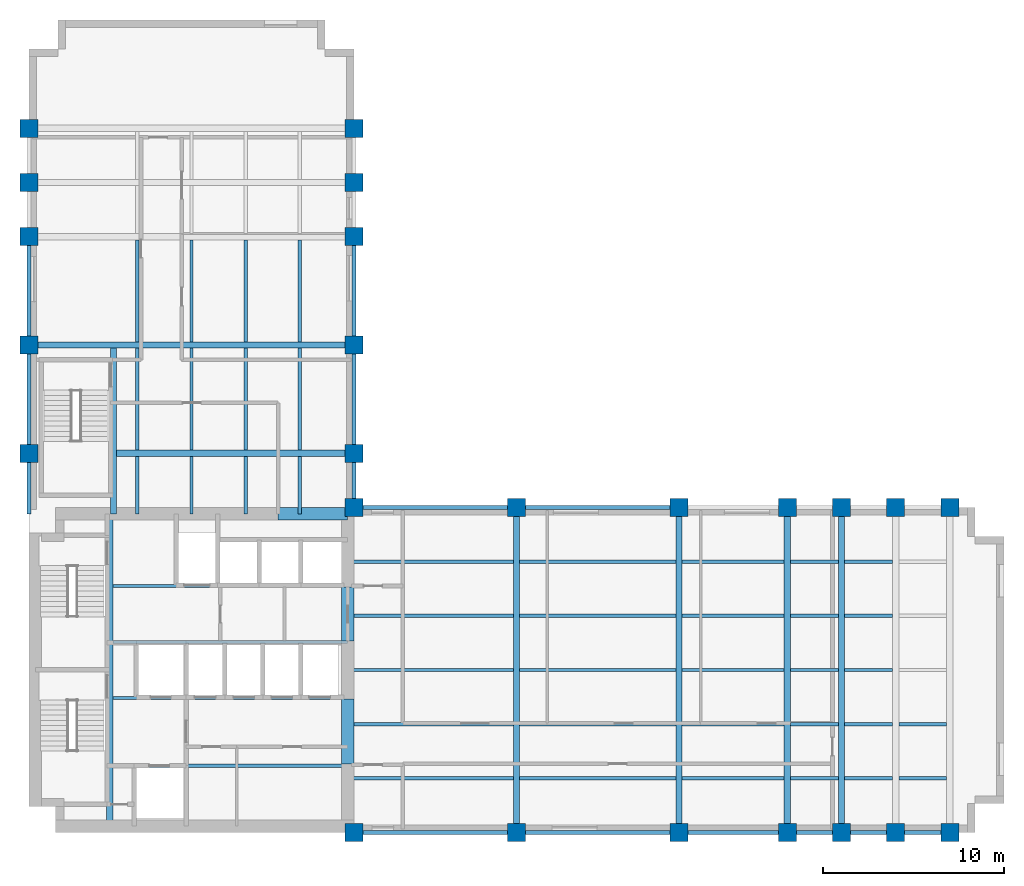
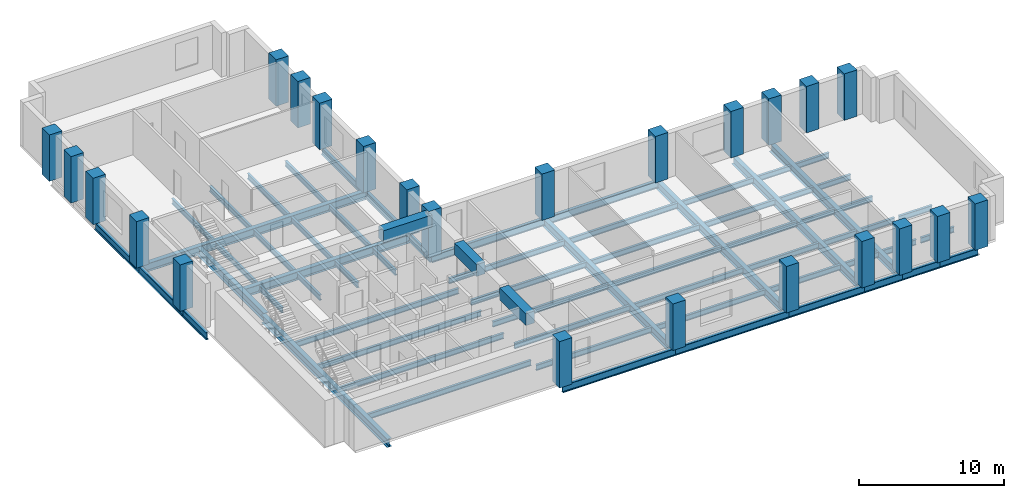
# One storey, part 1 of 7: 68 beams, 24 columns.
"""IFC4 building model written with IfcOpenShell, lengths in metres."""

from ifc_helpers import new_model, si_unit, direction, frame, origin, origin_2d, place, context, subcontext, project, spatial, rectangle, i_section, extrude, material, material_profile, profile_set, type_object, element, save


model = new_model("IFC4")

# Units and contexts
model_context = context("Model", 3, precision=1e-05, world=origin(), true_north=direction((0.0, 1.0)))
body_context = subcontext(model_context, "Body", "Model", "MODEL_VIEW")
ifc_project = project(units=[si_unit("LENGTHUNIT", "METRE"), si_unit("AREAUNIT", "SQUARE_METRE"), si_unit("VOLUMEUNIT", "CUBIC_METRE"), si_unit("PLANEANGLEUNIT", "RADIAN"), si_unit("MASSUNIT", "GRAM", prefix="KILO")], contexts=[model_context])

# Site, building, storey
site_placement = place(None, origin())
site = spatial("IfcSite", under=ifc_project, at=site_placement, CompositionType="ELEMENT")
building_placement = place(site_placement, origin())
building = spatial("IfcBuilding", under=site, at=building_placement, Name="Mawjdan Bourse Tower", CompositionType="ELEMENT")
storey_placement = place(building_placement, frame((0.0, 0.0, 147.89990234375)))
storey = spatial("IfcBuildingStorey", under=building, at=storey_placement, Name="L35", CompositionType="ELEMENT", Elevation=147.89990234375)

# Columns
ifc_material_1 = material(Name="Concrete C70/85", Category="concrete")
ifc_material_profile_1 = material_profile(ifc_material_1, rectangle(XDim=1.0, YDim=1.0, at=origin_2d()), Name="RC1000X1000")
ifc_profile_set_1 = profile_set([ifc_material_profile_1], Name="Concrete C70/85")
column_type = type_object("IfcColumnType", Name="COL-RC1000X1000", PredefinedType="COLUMN", material=ifc_profile_set_1)
for number, where, z_axis, x_axis, name in (
    (1, (24.0, 3.0, 0.0), (0.0, 0.0, 1.0), (1.0, 0.0, 0.0), "L35 Structural Column C-X240-Y30"),
    (2, (24.0, 21.0, 0.0), (0.0, 0.0, 1.0), (1.0, 0.0, 0.0), "L35 Structural Column C-X240-Y210"),
    (3, (33.0, 3.0, 0.0), (0.0, 0.0, 1.0), (1.0, 0.0, 0.0), "L35 Structural Column C-X330-Y30"),
    (4, (33.0, 21.0, 0.0), (0.0, 0.0, 1.0), (1.0, 0.0, 0.0), "L35 Structural Column C-X330-Y210"),
    (5, (42.0, 3.0, 0.0), (0.0, 0.0, 1.0), (1.0, 0.0, 0.0), "L35 Structural Column C-X420-Y30"),
    (6, (42.0, 21.0, 0.0), (0.0, 0.0, 1.0), (1.0, 0.0, 0.0), "L35 Structural Column C-X420-Y210"),
    (7, (48.0, 3.0, 0.0), (0.0, 0.0, 1.0), (1.0, 0.0, 0.0), "L35 Structural Column C-X480-Y30"),
    (8, (48.0, 21.0, 0.0), (0.0, 0.0, 1.0), (1.0, 0.0, 0.0), "L35 Structural Column C-X480-Y210"),
    (9, (51.0, 3.0, 0.0), (0.0, 0.0, 1.0), (1.0, 0.0, 0.0), "L35 Structural Column C-X510-Y30"),
    (10, (51.0, 21.0, 0.0), (0.0, 0.0, 1.0), (1.0, 0.0, 0.0), "L35 Structural Column C-X510-Y210"),
    (11, (54.0, 3.0, 0.0), (0.0, 0.0, 1.0), (1.0, 0.0, 0.0), "L35 Structural Column C-X540-Y30"),
    (12, (54.0, 21.0, 0.0), (0.0, 0.0, 1.0), (1.0, 0.0, 0.0), "L35 Structural Column C-X540-Y210"),
    (13, (57.0, 3.0, 0.0), (0.0, 0.0, 1.0), (1.0, 0.0, 0.0), "L35 Structural Column C-X570-Y30"),
    (14, (57.0, 21.0, 0.0), (0.0, 0.0, 1.0), (1.0, 0.0, 0.0), "L35 Structural Column C-X570-Y210"),
    (15, (6.0, 24.0, 0.0), (0.0, 0.0, 1.0), (1.0, 0.0, 0.0), "L35 Structural Column C-X60-Y240"),
    (16, (24.0, 24.0, 0.0), (0.0, 0.0, 1.0), (1.0, 0.0, 0.0), "L35 Structural Column C-X240-Y240"),
    (17, (6.0, 30.0, 0.0), (0.0, 0.0, 1.0), (1.0, 0.0, 0.0), "L35 Structural Column C-X60-Y300"),
    (18, (24.0, 30.0, 0.0), (0.0, 0.0, 1.0), (1.0, 0.0, 0.0), "L35 Structural Column C-X240-Y300"),
    (19, (6.0, 36.0, 0.0), (0.0, 0.0, 1.0), (1.0, 0.0, 0.0), "L35 Structural Column C-X60-Y360"),
    (20, (24.0, 36.0, 0.0), (0.0, 0.0, 1.0), (1.0, 0.0, 0.0), "L35 Structural Column C-X240-Y360"),
    (21, (6.0, 39.0, 0.0), (0.0, 0.0, 1.0), (1.0, 0.0, 0.0), "L35 Structural Column C-X60-Y390"),
    (22, (24.0, 39.0, 0.0), (0.0, 0.0, 1.0), (1.0, 0.0, 0.0), "L35 Structural Column C-X240-Y390"),
    (23, (6.0, 42.0, 0.0), (0.0, 0.0, 1.0), (1.0, 0.0, 0.0), "L35 Structural Column C-X60-Y420"),
    (24, (24.0, 42.0, 0.0), (0.0, 0.0, 1.0), (1.0, 0.0, 0.0), "L35 Structural Column C-X240-Y420"),
):
    element("IfcColumn", number, at=place(storey_placement, frame(where, z_axis=z_axis, x_axis=x_axis)), inside=storey, type_object=column_type, Name=name, PredefinedType="COLUMN", context=body_context, shape_type="SweptSolid", body=[
        extrude(rectangle(XDim=1.0, YDim=1.0, at=origin_2d()), origin(), (0.0, 0.0, 1.0), 3.900146484375),
    ])

# Beams
ifc_material_2 = material(Name="Structural Steel S355", Category="steel")
ifc_material_profile_2 = material_profile(ifc_material_2, i_section(OverallWidth=0.35498046875, OverallDepth=0.696044921875, WebThickness=0.015380859375, FlangeThickness=0.02490234375, FilletRadius=0.019775390625, at=origin_2d()), Name="W27X146")
ifc_profile_set_2 = profile_set([ifc_material_profile_2], Name="Structural Steel S355")
beam_type_1 = type_object("IfcBeamType", Name="GRD-W27X146", PredefinedType="BEAM", material=ifc_profile_set_2)
beam_1_placement = place(storey_placement, frame((10.47998046875, 3.35009765625, -0.5478515625), z_axis=(0.0, 1.0, 0.0), x_axis=(-1.0, 0.0, 0.0)))
element("IfcBeam", 25, at=beam_1_placement, inside=storey, type_object=beam_type_1, Name="L35 Core Stair Trimmer Girder 001", PredefinedType="BEAM", context=body_context, shape_type="SweptSolid", body=[
    extrude(i_section(OverallWidth=0.35498046875, OverallDepth=0.696044921875, WebThickness=0.015380859375, FlangeThickness=0.02490234375, FilletRadius=0.019775390625, at=origin_2d()), origin(), (0.0, 0.0, 1.0), 17.2998046875),
])
for number, where, z_axis, x_axis, name in (
    (26, (33.0, 3.0, -0.5478515625), (0.0, 1.0, 0.0), (-1.0, 0.0, 0.0), "L35 East Wing Clear-Span Girder 002"),
    (27, (42.0, 3.0, -0.5478515625), (0.0, 1.0, 0.0), (-1.0, 0.0, 0.0), "L35 East Wing Clear-Span Girder 003"),
    (28, (48.0, 3.0, -0.5478515625), (0.0, 1.0, 0.0), (-1.0, 0.0, 0.0), "L35 East Wing Clear-Span Girder 004"),
    (29, (51.0, 3.0, -0.5478515625), (0.0, 1.0, 0.0), (-1.0, 0.0, 0.0), "L35 East Wing Clear-Span Girder 005"),
):
    element("IfcBeam", number, at=place(storey_placement, frame(where, z_axis=z_axis, x_axis=x_axis)), inside=storey, type_object=beam_type_1, Name=name, PredefinedType="BEAM", context=body_context, shape_type="SweptSolid", body=[
        extrude(i_section(OverallWidth=0.35498046875, OverallDepth=0.696044921875, WebThickness=0.015380859375, FlangeThickness=0.02490234375, FilletRadius=0.019775390625, at=origin_2d()), origin(), (0.0, 0.0, 1.0), 18.0),
    ])
beam_2_placement = place(storey_placement, frame((10.679931640625, 20.64990234375, -0.5478515625), z_axis=(0.0, 1.0, 0.0), x_axis=(-1.0, 0.0, 0.0)))
element("IfcBeam", 30, at=beam_2_placement, inside=storey, type_object=beam_type_1, Name="L35 North Wing Stair Trimmer Girder 054", PredefinedType="BEAM", context=body_context, shape_type="SweptSolid", body=[
    extrude(i_section(OverallWidth=0.35498046875, OverallDepth=0.696044921875, WebThickness=0.015380859375, FlangeThickness=0.02490234375, FilletRadius=0.019775390625, at=origin_2d()), origin(), (0.0, 0.0, 1.0), 9.174560546875),
])
beam_3_placement = place(storey_placement, frame((10.85546875, 24.0, -0.5478515625), z_axis=(1.0, 0.0, 0.0), x_axis=(0.0, 1.0, 0.0)))
element("IfcBeam", 31, at=beam_3_placement, inside=storey, type_object=beam_type_1, Name="L35 North Wing Clear-Span Girder 055", PredefinedType="BEAM", context=body_context, shape_type="SweptSolid", body=[
    extrude(i_section(OverallWidth=0.35498046875, OverallDepth=0.696044921875, WebThickness=0.015380859375, FlangeThickness=0.02490234375, FilletRadius=0.019775390625, at=origin_2d()), origin(), (0.0, 0.0, 1.0), 13.14453125),
])
beam_4_placement = place(storey_placement, frame((6.0, 30.0, -0.5478515625), z_axis=(1.0, 0.0, 0.0), x_axis=(0.0, 1.0, 0.0)))
element("IfcBeam", 32, at=beam_4_placement, inside=storey, type_object=beam_type_1, Name="L35 North Wing Clear-Span Girder 056", PredefinedType="BEAM", context=body_context, shape_type="SweptSolid", body=[
    extrude(i_section(OverallWidth=0.35498046875, OverallDepth=0.696044921875, WebThickness=0.015380859375, FlangeThickness=0.02490234375, FilletRadius=0.019775390625, at=origin_2d()), origin(), (0.0, 0.0, 1.0), 18.0),
])
ifc_material_profile_3 = material_profile(ifc_material_2, i_section(OverallWidth=0.18994140625, OverallDepth=0.45703125, WebThickness=0.009033203125, FlangeThickness=0.014404296875, FilletRadius=0.01171875, at=origin_2d()), Name="W18X50")
ifc_profile_set_3 = profile_set([ifc_material_profile_3], Name="Structural Steel S355")
beam_type_2 = type_object("IfcBeamType", Name="JST-W18X50", PredefinedType="JOIST", material=ifc_profile_set_3)
beam_5_placement = place(storey_placement, frame((23.64990234375, 6.0, -0.428466796875), z_axis=(1.0, 0.0, 0.0), x_axis=(0.0, 1.0, 0.0)))
element("IfcBeam", 33, at=beam_5_placement, inside=storey, type_object=beam_type_2, Name="L35 East Wing Composite Joist 020", PredefinedType="JOIST", context=body_context, shape_type="SweptSolid", body=[
    extrude(i_section(OverallWidth=0.18994140625, OverallDepth=0.45703125, WebThickness=0.009033203125, FlangeThickness=0.014404296875, FilletRadius=0.01171875, at=origin_2d()), origin(), (0.0, 0.0, 1.0), 9.174560546875),
])
beam_6_placement = place(storey_placement, frame((33.175537109375, 6.0, -0.428466796875), z_axis=(1.0, 0.0, 0.0), x_axis=(0.0, 1.0, 0.0)))
element("IfcBeam", 34, at=beam_6_placement, inside=storey, type_object=beam_type_2, Name="L35 East Wing Composite Joist 021", PredefinedType="JOIST", context=body_context, shape_type="SweptSolid", body=[
    extrude(i_section(OverallWidth=0.18994140625, OverallDepth=0.45703125, WebThickness=0.009033203125, FlangeThickness=0.014404296875, FilletRadius=0.01171875, at=origin_2d()), origin(), (0.0, 0.0, 1.0), 8.64892578125),
])
beam_7_placement = place(storey_placement, frame((42.175537109375, 6.0, -0.428466796875), z_axis=(1.0, 0.0, 0.0), x_axis=(0.0, 1.0, 0.0)))
element("IfcBeam", 35, at=beam_7_placement, inside=storey, type_object=beam_type_2, Name="L35 East Wing Composite Joist 022", PredefinedType="JOIST", context=body_context, shape_type="SweptSolid", body=[
    extrude(i_section(OverallWidth=0.18994140625, OverallDepth=0.45703125, WebThickness=0.009033203125, FlangeThickness=0.014404296875, FilletRadius=0.01171875, at=origin_2d()), origin(), (0.0, 0.0, 1.0), 5.64892578125),
])
for number, where, z_axis, x_axis, name in (
    (36, (48.175537109375, 6.0, -0.428466796875), (1.0, 0.0, 0.0), (0.0, 1.0, 0.0), "L35 East Wing Composite Joist 023"),
    (37, (51.175537109375, 6.0, -0.428466796875), (1.0, 0.0, 0.0), (0.0, 1.0, 0.0), "L35 East Wing Composite Joist 024"),
    (38, (54.175537109375, 6.0, -0.428466796875), (1.0, 0.0, 0.0), (0.0, 1.0, 0.0), "L35 East Wing Composite Joist 025"),
):
    element("IfcBeam", number, at=place(storey_placement, frame(where, z_axis=z_axis, x_axis=x_axis)), inside=storey, type_object=beam_type_2, Name=name, PredefinedType="JOIST", context=body_context, shape_type="SweptSolid", body=[
        extrude(i_section(OverallWidth=0.18994140625, OverallDepth=0.45703125, WebThickness=0.009033203125, FlangeThickness=0.014404296875, FilletRadius=0.01171875, at=origin_2d()), origin(), (0.0, 0.0, 1.0), 2.64892578125),
    ])
beam_8_placement = place(storey_placement, frame((23.64990234375, 9.0, -0.428466796875), z_axis=(1.0, 0.0, 0.0), x_axis=(0.0, 1.0, 0.0)))
element("IfcBeam", 39, at=beam_8_placement, inside=storey, type_object=beam_type_2, Name="L35 East Wing Composite Joist 026", PredefinedType="JOIST", context=body_context, shape_type="SweptSolid", body=[
    extrude(i_section(OverallWidth=0.18994140625, OverallDepth=0.45703125, WebThickness=0.009033203125, FlangeThickness=0.014404296875, FilletRadius=0.01171875, at=origin_2d()), origin(), (0.0, 0.0, 1.0), 9.174560546875),
])
beam_9_placement = place(storey_placement, frame((33.175537109375, 9.0, -0.428466796875), z_axis=(1.0, 0.0, 0.0), x_axis=(0.0, 1.0, 0.0)))
element("IfcBeam", 40, at=beam_9_placement, inside=storey, type_object=beam_type_2, Name="L35 East Wing Composite Joist 027", PredefinedType="JOIST", context=body_context, shape_type="SweptSolid", body=[
    extrude(i_section(OverallWidth=0.18994140625, OverallDepth=0.45703125, WebThickness=0.009033203125, FlangeThickness=0.014404296875, FilletRadius=0.01171875, at=origin_2d()), origin(), (0.0, 0.0, 1.0), 8.64892578125),
])
beam_10_placement = place(storey_placement, frame((42.175537109375, 9.0, -0.428466796875), z_axis=(1.0, 0.0, 0.0), x_axis=(0.0, 1.0, 0.0)))
element("IfcBeam", 41, at=beam_10_placement, inside=storey, type_object=beam_type_2, Name="L35 East Wing Composite Joist 028", PredefinedType="JOIST", context=body_context, shape_type="SweptSolid", body=[
    extrude(i_section(OverallWidth=0.18994140625, OverallDepth=0.45703125, WebThickness=0.009033203125, FlangeThickness=0.014404296875, FilletRadius=0.01171875, at=origin_2d()), origin(), (0.0, 0.0, 1.0), 5.64892578125),
])
for number, where, z_axis, x_axis, name in (
    (42, (48.175537109375, 9.0, -0.428466796875), (1.0, 0.0, 0.0), (0.0, 1.0, 0.0), "L35 East Wing Composite Joist 029"),
    (43, (51.175537109375, 9.0, -0.428466796875), (1.0, 0.0, 0.0), (0.0, 1.0, 0.0), "L35 East Wing Composite Joist 030"),
    (44, (54.175537109375, 9.0, -0.428466796875), (1.0, 0.0, 0.0), (0.0, 1.0, 0.0), "L35 East Wing Composite Joist 031"),
):
    element("IfcBeam", number, at=place(storey_placement, frame(where, z_axis=z_axis, x_axis=x_axis)), inside=storey, type_object=beam_type_2, Name=name, PredefinedType="JOIST", context=body_context, shape_type="SweptSolid", body=[
        extrude(i_section(OverallWidth=0.18994140625, OverallDepth=0.45703125, WebThickness=0.009033203125, FlangeThickness=0.014404296875, FilletRadius=0.01171875, at=origin_2d()), origin(), (0.0, 0.0, 1.0), 2.64892578125),
    ])
beam_11_placement = place(storey_placement, frame((23.64990234375, 12.0, -0.428466796875), z_axis=(1.0, 0.0, 0.0), x_axis=(0.0, 1.0, 0.0)))
element("IfcBeam", 45, at=beam_11_placement, inside=storey, type_object=beam_type_2, Name="L35 East Wing Composite Joist 032", PredefinedType="JOIST", context=body_context, shape_type="SweptSolid", body=[
    extrude(i_section(OverallWidth=0.18994140625, OverallDepth=0.45703125, WebThickness=0.009033203125, FlangeThickness=0.014404296875, FilletRadius=0.01171875, at=origin_2d()), origin(), (0.0, 0.0, 1.0), 9.174560546875),
])
beam_12_placement = place(storey_placement, frame((33.175537109375, 12.0, -0.428466796875), z_axis=(1.0, 0.0, 0.0), x_axis=(0.0, 1.0, 0.0)))
element("IfcBeam", 46, at=beam_12_placement, inside=storey, type_object=beam_type_2, Name="L35 East Wing Composite Joist 033", PredefinedType="JOIST", context=body_context, shape_type="SweptSolid", body=[
    extrude(i_section(OverallWidth=0.18994140625, OverallDepth=0.45703125, WebThickness=0.009033203125, FlangeThickness=0.014404296875, FilletRadius=0.01171875, at=origin_2d()), origin(), (0.0, 0.0, 1.0), 8.64892578125),
])
beam_13_placement = place(storey_placement, frame((42.175537109375, 12.0, -0.428466796875), z_axis=(1.0, 0.0, 0.0), x_axis=(0.0, 1.0, 0.0)))
element("IfcBeam", 47, at=beam_13_placement, inside=storey, type_object=beam_type_2, Name="L35 East Wing Composite Joist 034", PredefinedType="JOIST", context=body_context, shape_type="SweptSolid", body=[
    extrude(i_section(OverallWidth=0.18994140625, OverallDepth=0.45703125, WebThickness=0.009033203125, FlangeThickness=0.014404296875, FilletRadius=0.01171875, at=origin_2d()), origin(), (0.0, 0.0, 1.0), 5.64892578125),
])
for number, where, z_axis, x_axis, name in (
    (48, (48.175537109375, 12.0, -0.428466796875), (1.0, 0.0, 0.0), (0.0, 1.0, 0.0), "L35 East Wing Composite Joist 035"),
    (49, (51.175537109375, 12.0, -0.428466796875), (1.0, 0.0, 0.0), (0.0, 1.0, 0.0), "L35 East Wing Composite Joist 036"),
):
    element("IfcBeam", number, at=place(storey_placement, frame(where, z_axis=z_axis, x_axis=x_axis)), inside=storey, type_object=beam_type_2, Name=name, PredefinedType="JOIST", context=body_context, shape_type="SweptSolid", body=[
        extrude(i_section(OverallWidth=0.18994140625, OverallDepth=0.45703125, WebThickness=0.009033203125, FlangeThickness=0.014404296875, FilletRadius=0.01171875, at=origin_2d()), origin(), (0.0, 0.0, 1.0), 2.64892578125),
    ])
beam_14_placement = place(storey_placement, frame((23.64990234375, 15.0, -0.428466796875), z_axis=(1.0, 0.0, 0.0), x_axis=(0.0, 1.0, 0.0)))
element("IfcBeam", 50, at=beam_14_placement, inside=storey, type_object=beam_type_2, Name="L35 East Wing Composite Joist 038", PredefinedType="JOIST", context=body_context, shape_type="SweptSolid", body=[
    extrude(i_section(OverallWidth=0.18994140625, OverallDepth=0.45703125, WebThickness=0.009033203125, FlangeThickness=0.014404296875, FilletRadius=0.01171875, at=origin_2d()), origin(), (0.0, 0.0, 1.0), 9.174560546875),
])
beam_15_placement = place(storey_placement, frame((33.175537109375, 15.0, -0.428466796875), z_axis=(1.0, 0.0, 0.0), x_axis=(0.0, 1.0, 0.0)))
element("IfcBeam", 51, at=beam_15_placement, inside=storey, type_object=beam_type_2, Name="L35 East Wing Composite Joist 039", PredefinedType="JOIST", context=body_context, shape_type="SweptSolid", body=[
    extrude(i_section(OverallWidth=0.18994140625, OverallDepth=0.45703125, WebThickness=0.009033203125, FlangeThickness=0.014404296875, FilletRadius=0.01171875, at=origin_2d()), origin(), (0.0, 0.0, 1.0), 8.64892578125),
])
beam_16_placement = place(storey_placement, frame((42.175537109375, 15.0, -0.428466796875), z_axis=(1.0, 0.0, 0.0), x_axis=(0.0, 1.0, 0.0)))
element("IfcBeam", 52, at=beam_16_placement, inside=storey, type_object=beam_type_2, Name="L35 East Wing Composite Joist 040", PredefinedType="JOIST", context=body_context, shape_type="SweptSolid", body=[
    extrude(i_section(OverallWidth=0.18994140625, OverallDepth=0.45703125, WebThickness=0.009033203125, FlangeThickness=0.014404296875, FilletRadius=0.01171875, at=origin_2d()), origin(), (0.0, 0.0, 1.0), 5.64892578125),
])
for number, where, z_axis, x_axis, name in (
    (53, (48.175537109375, 15.0, -0.428466796875), (1.0, 0.0, 0.0), (0.0, 1.0, 0.0), "L35 East Wing Composite Joist 041"),
    (54, (51.175537109375, 15.0, -0.428466796875), (1.0, 0.0, 0.0), (0.0, 1.0, 0.0), "L35 East Wing Composite Joist 042"),
):
    element("IfcBeam", number, at=place(storey_placement, frame(where, z_axis=z_axis, x_axis=x_axis)), inside=storey, type_object=beam_type_2, Name=name, PredefinedType="JOIST", context=body_context, shape_type="SweptSolid", body=[
        extrude(i_section(OverallWidth=0.18994140625, OverallDepth=0.45703125, WebThickness=0.009033203125, FlangeThickness=0.014404296875, FilletRadius=0.01171875, at=origin_2d()), origin(), (0.0, 0.0, 1.0), 2.64892578125),
    ])
beam_17_placement = place(storey_placement, frame((23.64990234375, 18.0, -0.428466796875), z_axis=(1.0, 0.0, 0.0), x_axis=(0.0, 1.0, 0.0)))
element("IfcBeam", 55, at=beam_17_placement, inside=storey, type_object=beam_type_2, Name="L35 East Wing Composite Joist 044", PredefinedType="JOIST", context=body_context, shape_type="SweptSolid", body=[
    extrude(i_section(OverallWidth=0.18994140625, OverallDepth=0.45703125, WebThickness=0.009033203125, FlangeThickness=0.014404296875, FilletRadius=0.01171875, at=origin_2d()), origin(), (0.0, 0.0, 1.0), 9.174560546875),
])
beam_18_placement = place(storey_placement, frame((33.175537109375, 18.0, -0.428466796875), z_axis=(1.0, 0.0, 0.0), x_axis=(0.0, 1.0, 0.0)))
element("IfcBeam", 56, at=beam_18_placement, inside=storey, type_object=beam_type_2, Name="L35 East Wing Composite Joist 045", PredefinedType="JOIST", context=body_context, shape_type="SweptSolid", body=[
    extrude(i_section(OverallWidth=0.18994140625, OverallDepth=0.45703125, WebThickness=0.009033203125, FlangeThickness=0.014404296875, FilletRadius=0.01171875, at=origin_2d()), origin(), (0.0, 0.0, 1.0), 8.64892578125),
])
beam_19_placement = place(storey_placement, frame((42.175537109375, 18.0, -0.428466796875), z_axis=(1.0, 0.0, 0.0), x_axis=(0.0, 1.0, 0.0)))
element("IfcBeam", 57, at=beam_19_placement, inside=storey, type_object=beam_type_2, Name="L35 East Wing Composite Joist 046", PredefinedType="JOIST", context=body_context, shape_type="SweptSolid", body=[
    extrude(i_section(OverallWidth=0.18994140625, OverallDepth=0.45703125, WebThickness=0.009033203125, FlangeThickness=0.014404296875, FilletRadius=0.01171875, at=origin_2d()), origin(), (0.0, 0.0, 1.0), 5.64892578125),
])
for number, where, z_axis, x_axis, name in (
    (58, (48.175537109375, 18.0, -0.428466796875), (1.0, 0.0, 0.0), (0.0, 1.0, 0.0), "L35 East Wing Composite Joist 047"),
    (59, (51.175537109375, 18.0, -0.428466796875), (1.0, 0.0, 0.0), (0.0, 1.0, 0.0), "L35 East Wing Composite Joist 048"),
):
    element("IfcBeam", number, at=place(storey_placement, frame(where, z_axis=z_axis, x_axis=x_axis)), inside=storey, type_object=beam_type_2, Name=name, PredefinedType="JOIST", context=body_context, shape_type="SweptSolid", body=[
        extrude(i_section(OverallWidth=0.18994140625, OverallDepth=0.45703125, WebThickness=0.009033203125, FlangeThickness=0.014404296875, FilletRadius=0.01171875, at=origin_2d()), origin(), (0.0, 0.0, 1.0), 2.64892578125),
    ])
for number, where, z_axis, x_axis, name in (
    (60, (10.655517578125, 6.699951171875, -0.428466796875), (1.0, 0.0, 0.0), (0.0, 1.0, 0.0), "L35 Core Floor Joist 050"),
    (61, (10.655517578125, 10.449951171875, -0.428466796875), (1.0, 0.0, 0.0), (0.0, 1.0, 0.0), "L35 Core Floor Joist 051"),
    (62, (10.655517578125, 13.550048828125, -0.428466796875), (1.0, 0.0, 0.0), (0.0, 1.0, 0.0), "L35 Core Floor Joist 052"),
    (63, (10.655517578125, 16.64990234375, -0.428466796875), (1.0, 0.0, 0.0), (0.0, 1.0, 0.0), "L35 Core Floor Joist 053"),
):
    element("IfcBeam", number, at=place(storey_placement, frame(where, z_axis=z_axis, x_axis=x_axis)), inside=storey, type_object=beam_type_2, Name=name, PredefinedType="JOIST", context=body_context, shape_type="SweptSolid", body=[
        extrude(i_section(OverallWidth=0.18994140625, OverallDepth=0.45703125, WebThickness=0.009033203125, FlangeThickness=0.014404296875, FilletRadius=0.01171875, at=origin_2d()), origin(), (0.0, 0.0, 1.0), 12.994384765625),
    ])
beam_20_placement = place(storey_placement, frame((12.0, 20.64990234375, -0.428466796875), z_axis=(0.0, 1.0, 0.0), x_axis=(-1.0, 0.0, 0.0)))
element("IfcBeam", 64, at=beam_20_placement, inside=storey, type_object=beam_type_2, Name="L35 North Wing Composite Joist 070", PredefinedType="JOIST", context=body_context, shape_type="SweptSolid", body=[
    extrude(i_section(OverallWidth=0.18994140625, OverallDepth=0.45703125, WebThickness=0.009033203125, FlangeThickness=0.014404296875, FilletRadius=0.01171875, at=origin_2d()), origin(), (0.0, 0.0, 1.0), 3.174560546875),
])
for number, where, z_axis, x_axis, name in (
    (65, (12.0, 24.175537109375, -0.428466796875), (0.0, 1.0, 0.0), (-1.0, 0.0, 0.0), "L35 North Wing Composite Joist 071"),
    (66, (12.0, 30.175537109375, -0.428466796875), (0.0, 1.0, 0.0), (-1.0, 0.0, 0.0), "L35 North Wing Composite Joist 072"),
):
    element("IfcBeam", number, at=place(storey_placement, frame(where, z_axis=z_axis, x_axis=x_axis)), inside=storey, type_object=beam_type_2, Name=name, PredefinedType="JOIST", context=body_context, shape_type="SweptSolid", body=[
        extrude(i_section(OverallWidth=0.18994140625, OverallDepth=0.45703125, WebThickness=0.009033203125, FlangeThickness=0.014404296875, FilletRadius=0.01171875, at=origin_2d()), origin(), (0.0, 0.0, 1.0), 5.64892578125),
    ])
beam_21_placement = place(storey_placement, frame((15.0, 20.64990234375, -0.428466796875), z_axis=(0.0, 1.0, 0.0), x_axis=(-1.0, 0.0, 0.0)))
element("IfcBeam", 67, at=beam_21_placement, inside=storey, type_object=beam_type_2, Name="L35 North Wing Composite Joist 075", PredefinedType="JOIST", context=body_context, shape_type="SweptSolid", body=[
    extrude(i_section(OverallWidth=0.18994140625, OverallDepth=0.45703125, WebThickness=0.009033203125, FlangeThickness=0.014404296875, FilletRadius=0.01171875, at=origin_2d()), origin(), (0.0, 0.0, 1.0), 3.174560546875),
])
for number, where, z_axis, x_axis, name in (
    (68, (15.0, 24.175537109375, -0.428466796875), (0.0, 1.0, 0.0), (-1.0, 0.0, 0.0), "L35 North Wing Composite Joist 076"),
    (69, (15.0, 30.175537109375, -0.428466796875), (0.0, 1.0, 0.0), (-1.0, 0.0, 0.0), "L35 North Wing Composite Joist 077"),
):
    element("IfcBeam", number, at=place(storey_placement, frame(where, z_axis=z_axis, x_axis=x_axis)), inside=storey, type_object=beam_type_2, Name=name, PredefinedType="JOIST", context=body_context, shape_type="SweptSolid", body=[
        extrude(i_section(OverallWidth=0.18994140625, OverallDepth=0.45703125, WebThickness=0.009033203125, FlangeThickness=0.014404296875, FilletRadius=0.01171875, at=origin_2d()), origin(), (0.0, 0.0, 1.0), 5.64892578125),
    ])
beam_22_placement = place(storey_placement, frame((18.0, 20.64990234375, -0.428466796875), z_axis=(0.0, 1.0, 0.0), x_axis=(-1.0, 0.0, 0.0)))
element("IfcBeam", 70, at=beam_22_placement, inside=storey, type_object=beam_type_2, Name="L35 North Wing Composite Joist 080", PredefinedType="JOIST", context=body_context, shape_type="SweptSolid", body=[
    extrude(i_section(OverallWidth=0.18994140625, OverallDepth=0.45703125, WebThickness=0.009033203125, FlangeThickness=0.014404296875, FilletRadius=0.01171875, at=origin_2d()), origin(), (0.0, 0.0, 1.0), 3.174560546875),
])
for number, where, z_axis, x_axis, name in (
    (71, (18.0, 24.175537109375, -0.428466796875), (0.0, 1.0, 0.0), (-1.0, 0.0, 0.0), "L35 North Wing Composite Joist 081"),
    (72, (18.0, 30.175537109375, -0.428466796875), (0.0, 1.0, 0.0), (-1.0, 0.0, 0.0), "L35 North Wing Composite Joist 082"),
):
    element("IfcBeam", number, at=place(storey_placement, frame(where, z_axis=z_axis, x_axis=x_axis)), inside=storey, type_object=beam_type_2, Name=name, PredefinedType="JOIST", context=body_context, shape_type="SweptSolid", body=[
        extrude(i_section(OverallWidth=0.18994140625, OverallDepth=0.45703125, WebThickness=0.009033203125, FlangeThickness=0.014404296875, FilletRadius=0.01171875, at=origin_2d()), origin(), (0.0, 0.0, 1.0), 5.64892578125),
    ])
beam_23_placement = place(storey_placement, frame((21.0, 20.64990234375, -0.428466796875), z_axis=(0.0, 1.0, 0.0), x_axis=(-1.0, 0.0, 0.0)))
element("IfcBeam", 73, at=beam_23_placement, inside=storey, type_object=beam_type_2, Name="L35 North Wing Composite Joist 085", PredefinedType="JOIST", context=body_context, shape_type="SweptSolid", body=[
    extrude(i_section(OverallWidth=0.18994140625, OverallDepth=0.45703125, WebThickness=0.009033203125, FlangeThickness=0.014404296875, FilletRadius=0.01171875, at=origin_2d()), origin(), (0.0, 0.0, 1.0), 3.174560546875),
])
for number, where, z_axis, x_axis, name in (
    (74, (21.0, 24.175537109375, -0.428466796875), (0.0, 1.0, 0.0), (-1.0, 0.0, 0.0), "L35 North Wing Composite Joist 086"),
    (75, (21.0, 30.175537109375, -0.428466796875), (0.0, 1.0, 0.0), (-1.0, 0.0, 0.0), "L35 North Wing Composite Joist 087"),
):
    element("IfcBeam", number, at=place(storey_placement, frame(where, z_axis=z_axis, x_axis=x_axis)), inside=storey, type_object=beam_type_2, Name=name, PredefinedType="JOIST", context=body_context, shape_type="SweptSolid", body=[
        extrude(i_section(OverallWidth=0.18994140625, OverallDepth=0.45703125, WebThickness=0.009033203125, FlangeThickness=0.014404296875, FilletRadius=0.01171875, at=origin_2d()), origin(), (0.0, 0.0, 1.0), 5.64892578125),
    ])
ifc_material_profile_4 = material_profile(ifc_material_1, rectangle(XDim=0.699951171875, YDim=1.0, at=origin_2d()), Name="RCB700X1000")
ifc_profile_set_4 = profile_set([ifc_material_profile_4], Name="Concrete C70/85")
beam_type_3 = type_object("IfcBeamType", Name="LNT-RCB700X1000", PredefinedType="LINTEL", material=ifc_profile_set_4)
beam_24_placement = place(storey_placement, frame((23.64990234375, 6.800048828125, 3.2001953125), z_axis=(0.0, 1.0, 0.0), x_axis=(-1.0, 0.0, 0.0)))
element("IfcBeam", 76, at=beam_24_placement, inside=storey, type_object=beam_type_3, Name="L35 Coupled Core Lintel CB-E1", PredefinedType="LINTEL", context=body_context, shape_type="SweptSolid", body=[
    extrude(rectangle(XDim=0.699951171875, YDim=1.0, at=origin_2d()), origin(), (0.0, 0.0, 1.0), 3.599853515625),
])
beam_25_placement = place(storey_placement, frame((23.64990234375, 13.60009765625, 3.2001953125), z_axis=(0.0, 1.0, 0.0), x_axis=(-1.0, 0.0, 0.0)))
element("IfcBeam", 77, at=beam_25_placement, inside=storey, type_object=beam_type_3, Name="L35 Coupled Core Lintel CB-E2", PredefinedType="LINTEL", context=body_context, shape_type="SweptSolid", body=[
    extrude(rectangle(XDim=0.699951171875, YDim=1.0, at=origin_2d()), origin(), (0.0, 0.0, 1.0), 3.0),
])
beam_26_placement = place(storey_placement, frame((19.800048828125, 20.64990234375, 3.2001953125), z_axis=(1.0, 0.0, 0.0), x_axis=(0.0, 1.0, 0.0)))
element("IfcBeam", 78, at=beam_26_placement, inside=storey, type_object=beam_type_3, Name="L35 Coupled Core Lintel CB-N1", PredefinedType="LINTEL", context=body_context, shape_type="SweptSolid", body=[
    extrude(rectangle(XDim=0.699951171875, YDim=1.0, at=origin_2d()), origin(), (0.0, 0.0, 1.0), 3.849853515625),
])
ifc_material_profile_5 = material_profile(ifc_material_2, i_section(OverallWidth=0.22998046875, OverallDepth=0.616943359375, WebThickness=0.01318359375, FlangeThickness=0.022216796875, FilletRadius=0.017822265625, at=origin_2d()), Name="W24X94")
ifc_profile_set_5 = profile_set([ifc_material_profile_5], Name="Structural Steel S355")
beam_type_4 = type_object("IfcBeamType", Name="SPN-W24X94", PredefinedType="SPANDREL", material=ifc_profile_set_5)
for number, where, z_axis, x_axis, name in (
    (79, (24.0, 3.0, -0.50830078125), (1.0, 0.0, 0.0), (0.0, 1.0, 0.0), "L35 Perimeter Masonry-Shelf Spandrel 008"),
    (80, (33.0, 3.0, -0.50830078125), (1.0, 0.0, 0.0), (0.0, 1.0, 0.0), "L35 Perimeter Masonry-Shelf Spandrel 009"),
):
    element("IfcBeam", number, at=place(storey_placement, frame(where, z_axis=z_axis, x_axis=x_axis)), inside=storey, type_object=beam_type_4, Name=name, PredefinedType="SPANDREL", context=body_context, shape_type="SweptSolid", body=[
        extrude(i_section(OverallWidth=0.22998046875, OverallDepth=0.616943359375, WebThickness=0.01318359375, FlangeThickness=0.022216796875, FilletRadius=0.017822265625, at=origin_2d()), origin(), (0.0, 0.0, 1.0), 9.0),
    ])
beam_27_placement = place(storey_placement, frame((42.0, 3.0, -0.50830078125), z_axis=(1.0, 0.0, 0.0), x_axis=(0.0, 1.0, 0.0)))
element("IfcBeam", 81, at=beam_27_placement, inside=storey, type_object=beam_type_4, Name="L35 Perimeter Masonry-Shelf Spandrel 010", PredefinedType="SPANDREL", context=body_context, shape_type="SweptSolid", body=[
    extrude(i_section(OverallWidth=0.22998046875, OverallDepth=0.616943359375, WebThickness=0.01318359375, FlangeThickness=0.022216796875, FilletRadius=0.017822265625, at=origin_2d()), origin(), (0.0, 0.0, 1.0), 6.0),
])
for number, where, z_axis, x_axis, name in (
    (82, (48.0, 3.0, -0.50830078125), (1.0, 0.0, 0.0), (0.0, 1.0, 0.0), "L35 Perimeter Masonry-Shelf Spandrel 011"),
    (83, (51.0, 3.0, -0.50830078125), (1.0, 0.0, 0.0), (0.0, 1.0, 0.0), "L35 Perimeter Masonry-Shelf Spandrel 012"),
    (84, (54.0, 3.0, -0.50830078125), (1.0, 0.0, 0.0), (0.0, 1.0, 0.0), "L35 Perimeter Masonry-Shelf Spandrel 013"),
):
    element("IfcBeam", number, at=place(storey_placement, frame(where, z_axis=z_axis, x_axis=x_axis)), inside=storey, type_object=beam_type_4, Name=name, PredefinedType="SPANDREL", context=body_context, shape_type="SweptSolid", body=[
        extrude(i_section(OverallWidth=0.22998046875, OverallDepth=0.616943359375, WebThickness=0.01318359375, FlangeThickness=0.022216796875, FilletRadius=0.017822265625, at=origin_2d()), origin(), (0.0, 0.0, 1.0), 3.0),
    ])
for number, where, z_axis, x_axis, name in (
    (85, (24.0, 21.0, -0.50830078125), (1.0, 0.0, 0.0), (0.0, 1.0, 0.0), "L35 Perimeter Masonry-Shelf Spandrel 014"),
    (86, (33.0, 21.0, -0.50830078125), (1.0, 0.0, 0.0), (0.0, 1.0, 0.0), "L35 Perimeter Masonry-Shelf Spandrel 015"),
):
    element("IfcBeam", number, at=place(storey_placement, frame(where, z_axis=z_axis, x_axis=x_axis)), inside=storey, type_object=beam_type_4, Name=name, PredefinedType="SPANDREL", context=body_context, shape_type="SweptSolid", body=[
        extrude(i_section(OverallWidth=0.22998046875, OverallDepth=0.616943359375, WebThickness=0.01318359375, FlangeThickness=0.022216796875, FilletRadius=0.017822265625, at=origin_2d()), origin(), (0.0, 0.0, 1.0), 9.0),
    ])
beam_28_placement = place(storey_placement, frame((6.0, 20.64990234375, -0.50830078125), z_axis=(0.0, 1.0, 0.0), x_axis=(-1.0, 0.0, 0.0)))
element("IfcBeam", 87, at=beam_28_placement, inside=storey, type_object=beam_type_4, Name="L35 North Wing Spandrel 060", PredefinedType="SPANDREL", context=body_context, shape_type="SweptSolid", body=[
    extrude(i_section(OverallWidth=0.22998046875, OverallDepth=0.616943359375, WebThickness=0.01318359375, FlangeThickness=0.022216796875, FilletRadius=0.017822265625, at=origin_2d()), origin(), (0.0, 0.0, 1.0), 3.35009765625),
])
for number, where, z_axis, x_axis, name in (
    (88, (6.0, 24.0, -0.50830078125), (0.0, 1.0, 0.0), (-1.0, 0.0, 0.0), "L35 North Wing Spandrel 061"),
    (89, (6.0, 30.0, -0.50830078125), (0.0, 1.0, 0.0), (-1.0, 0.0, 0.0), "L35 North Wing Spandrel 062"),
):
    element("IfcBeam", number, at=place(storey_placement, frame(where, z_axis=z_axis, x_axis=x_axis)), inside=storey, type_object=beam_type_4, Name=name, PredefinedType="SPANDREL", context=body_context, shape_type="SweptSolid", body=[
        extrude(i_section(OverallWidth=0.22998046875, OverallDepth=0.616943359375, WebThickness=0.01318359375, FlangeThickness=0.022216796875, FilletRadius=0.017822265625, at=origin_2d()), origin(), (0.0, 0.0, 1.0), 6.0),
    ])
beam_29_placement = place(storey_placement, frame((24.0, 21.0, -0.50830078125), z_axis=(0.0, 1.0, 0.0), x_axis=(-1.0, 0.0, 0.0)))
element("IfcBeam", 90, at=beam_29_placement, inside=storey, type_object=beam_type_4, Name="L35 North Wing Spandrel 065", PredefinedType="SPANDREL", context=body_context, shape_type="SweptSolid", body=[
    extrude(i_section(OverallWidth=0.22998046875, OverallDepth=0.616943359375, WebThickness=0.01318359375, FlangeThickness=0.022216796875, FilletRadius=0.017822265625, at=origin_2d()), origin(), (0.0, 0.0, 1.0), 3.0),
])
for number, where, z_axis, x_axis, name in (
    (91, (24.0, 24.0, -0.50830078125), (0.0, 1.0, 0.0), (-1.0, 0.0, 0.0), "L35 North Wing Spandrel 066"),
    (92, (24.0, 30.0, -0.50830078125), (0.0, 1.0, 0.0), (-1.0, 0.0, 0.0), "L35 North Wing Spandrel 067"),
):
    element("IfcBeam", number, at=place(storey_placement, frame(where, z_axis=z_axis, x_axis=x_axis)), inside=storey, type_object=beam_type_4, Name=name, PredefinedType="SPANDREL", context=body_context, shape_type="SweptSolid", body=[
        extrude(i_section(OverallWidth=0.22998046875, OverallDepth=0.616943359375, WebThickness=0.01318359375, FlangeThickness=0.022216796875, FilletRadius=0.017822265625, at=origin_2d()), origin(), (0.0, 0.0, 1.0), 6.0),
    ])

save(model, "model.ifc")
